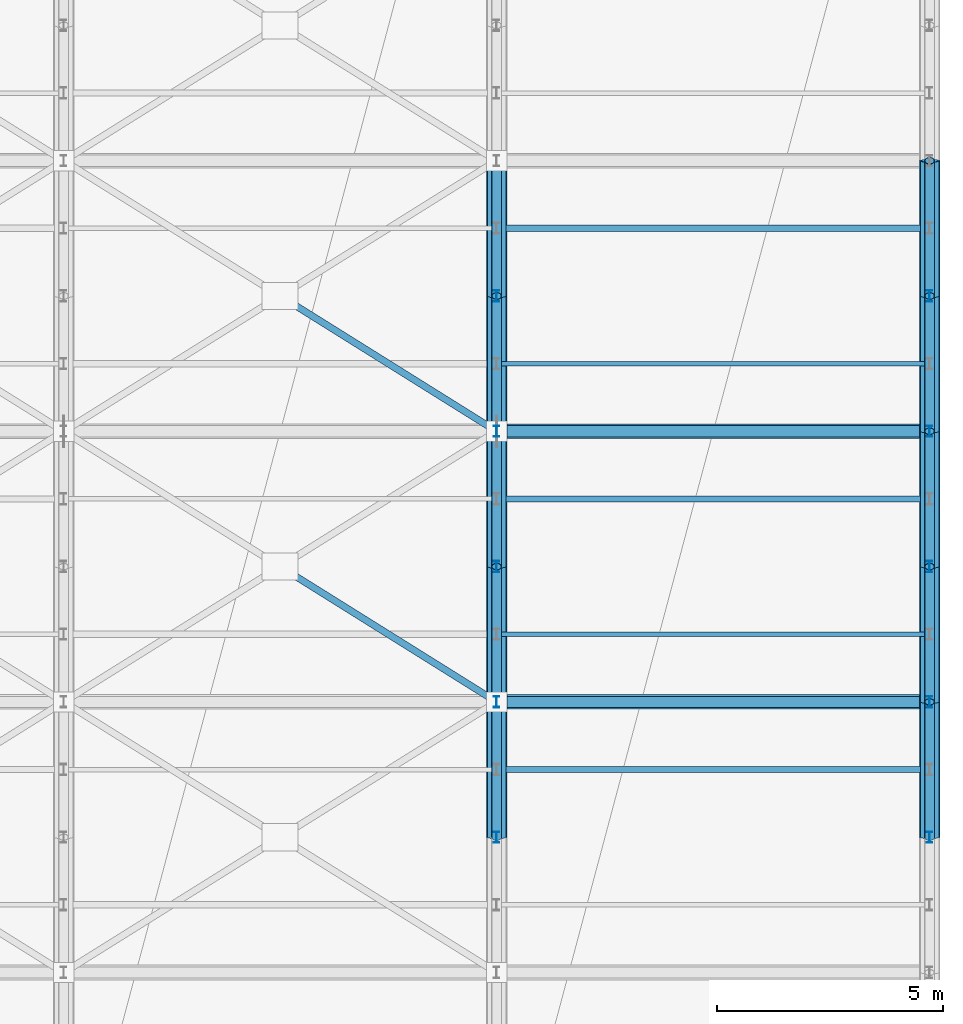
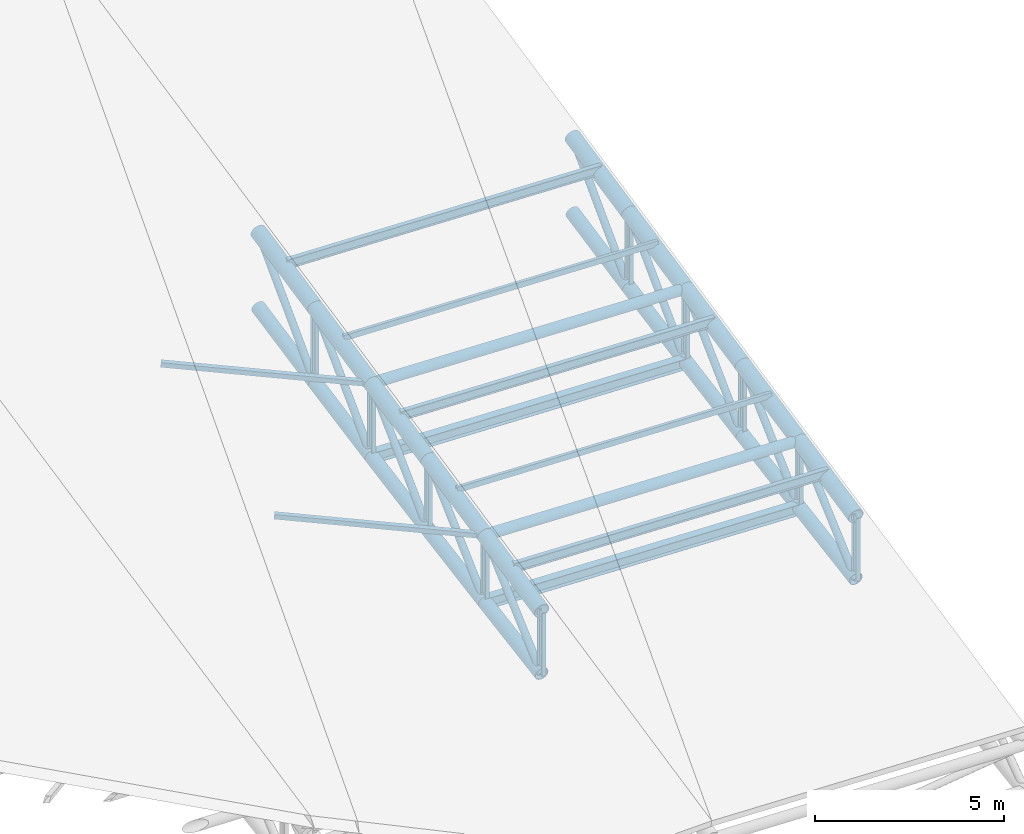
# One storey, part 40 of 109: 31 members, 20 beams.
"""IFC4 building model written with IfcOpenShell, lengths in metres."""

from ifc_helpers import new_model, si_unit, direction, frame, origin, origin_2d, place, context, subcontext, project, spatial, hollow_rectangle, hollow_circle, i_section, extrude, material, material_profile, profile_set, type_object, element, save


model = new_model("IFC4")

# Units and contexts
model_context = context("Model", 3, precision=1e-05, world=origin(), true_north=direction((0.0, 1.0)))
body_context = subcontext(model_context, "Body", "Model", "MODEL_VIEW")
ifc_project = project(units=[si_unit("LENGTHUNIT", "METRE"), si_unit("AREAUNIT", "SQUARE_METRE"), si_unit("VOLUMEUNIT", "CUBIC_METRE"), si_unit("PLANEANGLEUNIT", "RADIAN"), si_unit("MASSUNIT", "GRAM", prefix="KILO")], contexts=[model_context])

# Site, building, storey
site_placement = place(None, origin())
site = spatial("IfcSite", under=ifc_project, at=site_placement, CompositionType="ELEMENT")
building_placement = place(site_placement, origin())
building = spatial("IfcBuilding", under=site, at=building_placement, Name="Suirenkawa Promenade Aquatics Centre", CompositionType="ELEMENT")
storey_placement = place(building_placement, frame((0.0, 0.0, 22.800048828125)))
storey = spatial("IfcBuildingStorey", under=building, at=storey_placement, Name="ROOF", CompositionType="ELEMENT", Elevation=22.800048828125)

# Beams
ifc_material = material(Name="Steel IS 2062 E350 (Grade 350)", Category="steel")
ifc_material_profile_1 = material_profile(ifc_material, hollow_circle(Radius=0.202880859375, WallThickness=0.01806640625, at=origin_2d()), Name="CHS 406x18", Category="steel")
ifc_profile_set_1 = profile_set([ifc_material_profile_1], Name="Steel IS 2062 E350 (Grade 350)")
beam_type_1 = type_object("IfcBeamType", Name="BT-BC-CHS406", PredefinedType="BEAM", material=ifc_profile_set_1)
beam_1_placement = place(storey_placement, frame((184.800048828125, 59.39990234375, -8.908935546875), z_axis=(0.0, 0.986393923832, 0.164398987305), x_axis=(-1.0, 0.0, 0.0)))
element("IfcBeam", 1, at=beam_1_placement, inside=storey, type_object=beam_type_1, Name="ROOF TRUSS V2 bottom chord BC-01 BM-2510", PredefinedType="BEAM", context=body_context, shape_type="SweptSolid", body=[
    extrude(hollow_circle(Radius=0.202880859375, WallThickness=0.01806640625, at=origin_2d()), origin(), (0.0, 0.0, 1.0), 3.041259765625),
])
beam_2_placement = place(storey_placement, frame((184.800048828125, 62.39990234375, -8.408935546875), z_axis=(0.0, 0.985198806209, 0.171415612604), x_axis=(-1.0, 0.0, 0.0)))
element("IfcBeam", 2, at=beam_2_placement, inside=storey, type_object=beam_type_1, Name="ROOF TRUSS V2 bottom chord BC-01 BM-2512", PredefinedType="BEAM", context=body_context, shape_type="SweptSolid", body=[
    extrude(hollow_circle(Radius=0.202880859375, WallThickness=0.01806640625, at=origin_2d()), origin(), (0.0, 0.0, 1.0), 3.045166015625),
])
beam_3_placement = place(storey_placement, frame((184.800048828125, 65.39990234375, -7.886962890625), z_axis=(0.0, 0.983844279064, 0.179026351561), x_axis=(-1.0, 0.0, 0.0)))
element("IfcBeam", 3, at=beam_3_placement, inside=storey, type_object=beam_type_1, Name="ROOF TRUSS V2 bottom chord BC-01 BM-2514", PredefinedType="BEAM", context=body_context, shape_type="SweptSolid", body=[
    extrude(hollow_circle(Radius=0.202880859375, WallThickness=0.01806640625, at=origin_2d()), origin(), (0.0, 0.0, 1.0), 3.04931640625),
])
beam_4_placement = place(storey_placement, frame((184.800048828125, 68.39990234375, -7.341064453125), z_axis=(0.0, 0.982125967057, 0.188224825229), x_axis=(-1.0, 0.0, 0.0)))
element("IfcBeam", 4, at=beam_4_placement, inside=storey, type_object=beam_type_1, Name="ROOF TRUSS V2 bottom chord BC-01 BM-2516", PredefinedType="BEAM", context=body_context, shape_type="SweptSolid", body=[
    extrude(hollow_circle(Radius=0.202880859375, WallThickness=0.01806640625, at=origin_2d()), origin(), (0.0, 0.0, 1.0), 3.0546875),
])
beam_5_placement = place(storey_placement, frame((184.800048828125, 71.39990234375, -6.76611328125), z_axis=(0.0, 0.980204587851, 0.197987287357), x_axis=(-1.0, 0.0, 0.0)))
element("IfcBeam", 5, at=beam_5_placement, inside=storey, type_object=beam_type_1, Name="ROOF TRUSS V2 bottom chord BC-01 BM-2518", PredefinedType="BEAM", context=body_context, shape_type="SweptSolid", body=[
    extrude(hollow_circle(Radius=0.202880859375, WallThickness=0.01806640625, at=origin_2d()), origin(), (0.0, 0.0, 1.0), 3.060546875),
])
beam_6_placement = place(storey_placement, frame((194.39990234375, 59.39990234375, -9.208984375), z_axis=(0.0, 0.986393923832, 0.164398987305), x_axis=(-1.0, 0.0, 0.0)))
element("IfcBeam", 6, at=beam_6_placement, inside=storey, type_object=beam_type_1, Name="ROOF TRUSS V2 bottom chord BC-01 BM-2546", PredefinedType="BEAM", context=body_context, shape_type="SweptSolid", body=[
    extrude(hollow_circle(Radius=0.202880859375, WallThickness=0.01806640625, at=origin_2d()), origin(), (0.0, 0.0, 1.0), 3.041259765625),
])
beam_7_placement = place(storey_placement, frame((194.39990234375, 62.39990234375, -8.708984375), z_axis=(0.0, 0.985198806209, 0.171415612604), x_axis=(-1.0, 0.0, 0.0)))
element("IfcBeam", 7, at=beam_7_placement, inside=storey, type_object=beam_type_1, Name="ROOF TRUSS V2 bottom chord BC-01 BM-2548", PredefinedType="BEAM", context=body_context, shape_type="SweptSolid", body=[
    extrude(hollow_circle(Radius=0.202880859375, WallThickness=0.01806640625, at=origin_2d()), origin(), (0.0, 0.0, 1.0), 3.045166015625),
])
beam_8_placement = place(storey_placement, frame((194.39990234375, 65.39990234375, -8.18701171875), z_axis=(0.0, 0.983844279064, 0.179026351561), x_axis=(-1.0, 0.0, 0.0)))
element("IfcBeam", 8, at=beam_8_placement, inside=storey, type_object=beam_type_1, Name="ROOF TRUSS V2 bottom chord BC-01 BM-2550", PredefinedType="BEAM", context=body_context, shape_type="SweptSolid", body=[
    extrude(hollow_circle(Radius=0.202880859375, WallThickness=0.01806640625, at=origin_2d()), origin(), (0.0, 0.0, 1.0), 3.04931640625),
])
beam_9_placement = place(storey_placement, frame((194.39990234375, 68.39990234375, -7.64111328125), z_axis=(0.0, 0.982125967057, 0.188224825229), x_axis=(-1.0, 0.0, 0.0)))
element("IfcBeam", 9, at=beam_9_placement, inside=storey, type_object=beam_type_1, Name="ROOF TRUSS V2 bottom chord BC-01 BM-2552", PredefinedType="BEAM", context=body_context, shape_type="SweptSolid", body=[
    extrude(hollow_circle(Radius=0.202880859375, WallThickness=0.01806640625, at=origin_2d()), origin(), (0.0, 0.0, 1.0), 3.0546875),
])
beam_10_placement = place(storey_placement, frame((194.39990234375, 71.39990234375, -7.066162109375), z_axis=(0.0, 0.980189104436, 0.198063927923), x_axis=(-1.0, 0.0, 0.0)))
element("IfcBeam", 10, at=beam_10_placement, inside=storey, type_object=beam_type_1, Name="ROOF TRUSS V2 bottom chord BC-01 BM-2554", PredefinedType="BEAM", context=body_context, shape_type="SweptSolid", body=[
    extrude(hollow_circle(Radius=0.202880859375, WallThickness=0.01806640625, at=origin_2d()), origin(), (0.0, 0.0, 1.0), 3.060546875),
])
ifc_material_profile_2 = material_profile(ifc_material, hollow_circle(Radius=0.22900390625, WallThickness=0.02001953125, at=origin_2d()), Name="CHS 458x20", Category="steel")
ifc_profile_set_2 = profile_set([ifc_material_profile_2], Name="Steel IS 2062 E350 (Grade 350)")
beam_type_2 = type_object("IfcBeamType", Name="BT-TC-CHS458", PredefinedType="BEAM", material=ifc_profile_set_2)
for number, where, z_axis, x_axis, name in (
    (11, (184.800048828125, 59.39990234375, -6.880126953125), (0.0, 0.978452518953, 0.206471954886), (-1.0, 0.0, 0.0), "ROOF TRUSS V2 top chord TC-01 BM-2509"),
    (12, (184.800048828125, 62.39990234375, -6.2470703125), (0.0, 0.978388130003, 0.206776853322), (-1.0, 0.0, 0.0), "ROOF TRUSS V2 top chord TC-01 BM-2511"),
    (13, (184.800048828125, 65.39990234375, -5.613037109375), (0.0, 0.978452518953, 0.206471954886), (-1.0, 0.0, 0.0), "ROOF TRUSS V2 top chord TC-01 BM-2513"),
):
    element("IfcBeam", number, at=place(storey_placement, frame(where, z_axis=z_axis, x_axis=x_axis)), inside=storey, type_object=beam_type_2, Name=name, PredefinedType="BEAM", context=body_context, shape_type="SweptSolid", body=[
        extrude(hollow_circle(Radius=0.22900390625, WallThickness=0.02001953125, at=origin_2d()), origin(), (0.0, 0.0, 1.0), 3.066162109375),
    ])
beam_11_placement = place(storey_placement, frame((184.800048828125, 68.39990234375, -4.97998046875), z_axis=(0.0, 0.978468602667, 0.206395720875), x_axis=(-1.0, 0.0, 0.0)))
element("IfcBeam", 14, at=beam_11_placement, inside=storey, type_object=beam_type_2, Name="ROOF TRUSS V2 top chord TC-01 BM-2515", PredefinedType="BEAM", context=body_context, shape_type="SweptSolid", body=[
    extrude(hollow_circle(Radius=0.22900390625, WallThickness=0.02001953125, at=origin_2d()), origin(), (0.0, 0.0, 1.0), 3.06591796875),
])
beam_12_placement = place(storey_placement, frame((184.800048828125, 71.39990234375, -4.34716796875), z_axis=(0.0, 0.978388130003, 0.206776853322), x_axis=(-1.0, 0.0, 0.0)))
element("IfcBeam", 15, at=beam_12_placement, inside=storey, type_object=beam_type_2, Name="ROOF TRUSS V2 top chord TC-01 BM-2517", PredefinedType="BEAM", context=body_context, shape_type="SweptSolid", body=[
    extrude(hollow_circle(Radius=0.22900390625, WallThickness=0.02001953125, at=origin_2d()), origin(), (0.0, 0.0, 1.0), 3.066162109375),
])
beam_13_placement = place(storey_placement, frame((194.39990234375, 59.39990234375, -7.179931640625), z_axis=(0.0, 0.978468602667, 0.206395720875), x_axis=(-1.0, 0.0, 0.0)))
element("IfcBeam", 16, at=beam_13_placement, inside=storey, type_object=beam_type_2, Name="ROOF TRUSS V2 top chord TC-01 BM-2545", PredefinedType="BEAM", context=body_context, shape_type="SweptSolid", body=[
    extrude(hollow_circle(Radius=0.22900390625, WallThickness=0.02001953125, at=origin_2d()), origin(), (0.0, 0.0, 1.0), 3.06591796875),
])
for number, where, z_axis, x_axis, name in (
    (17, (194.39990234375, 62.39990234375, -6.547119140625), (0.0, 0.978388130003, 0.206776853322), (-1.0, 0.0, 0.0), "ROOF TRUSS V2 top chord TC-01 BM-2547"),
    (18, (194.39990234375, 65.39990234375, -5.9130859375), (0.0, 0.978452518953, 0.206471954886), (-1.0, 0.0, 0.0), "ROOF TRUSS V2 top chord TC-01 BM-2549"),
    (19, (194.39990234375, 68.39990234375, -5.280029296875), (0.0, 0.978452518953, 0.206471954886), (-1.0, 0.0, 0.0), "ROOF TRUSS V2 top chord TC-01 BM-2551"),
    (20, (194.39990234375, 71.39990234375, -4.64697265625), (0.0, 0.978388130003, 0.206776853322), (-1.0, 0.0, 0.0), "ROOF TRUSS V2 top chord TC-01 BM-2553"),
):
    element("IfcBeam", number, at=place(storey_placement, frame(where, z_axis=z_axis, x_axis=x_axis)), inside=storey, type_object=beam_type_2, Name=name, PredefinedType="BEAM", context=body_context, shape_type="SweptSolid", body=[
        extrude(hollow_circle(Radius=0.22900390625, WallThickness=0.02001953125, at=origin_2d()), origin(), (0.0, 0.0, 1.0), 3.066162109375),
    ])

# Members
ifc_material_profile_3 = material_profile(ifc_material, hollow_rectangle(XDim=0.14990234375, YDim=0.14990234375, WallThickness=0.008056640625, at=origin_2d()), Name="SHS 150x150x8", Category="steel")
ifc_profile_set_3 = profile_set([ifc_material_profile_3], Name="Steel IS 2062 E350 (Grade 350)")
member_type_1 = type_object("IfcMemberType", Name="MT-BRACE-SHS150", PredefinedType="BRACE", material=ifc_profile_set_3)
for number, where, z_axis, x_axis, name in (
    (21, (184.800048828125, 62.39990234375, -6.2470703125), (-0.844590851827, 0.527880185403, 0.089491915106), (-0.530006811934, -0.847993383998, 0.0), "ROOF TRUSS V2 split plan brace A BF-02 MB-1259"),
    (22, (184.800048828125, 68.39990234375, -4.97998046875), (-0.844590851827, 0.527880185403, 0.089491915106), (-0.530006811934, -0.847993383998, 0.0), "ROOF TRUSS V2 split plan brace A BF-02 MB-1262"),
):
    element("IfcMember", number, at=place(storey_placement, frame(where, z_axis=z_axis, x_axis=x_axis)), inside=storey, type_object=member_type_1, Name=name, PredefinedType="BRACE", context=body_context, shape_type="SweptSolid", body=[
        extrude(hollow_rectangle(XDim=0.14990234375, YDim=0.14990234375, WallThickness=0.008056640625, at=origin_2d()), origin(), (0.0, 0.0, 1.0), 5.597900390625),
    ])
ifc_material_profile_4 = material_profile(ifc_material, hollow_circle(Radius=0.162109375, WallThickness=0.013916015625, at=origin_2d()), Name="CHS 324x14", Category="steel")
ifc_profile_set_4 = profile_set([ifc_material_profile_4], Name="Steel IS 2062 E350 (Grade 350)")
member_type_2 = type_object("IfcMemberType", Name="MT-CHORD-CHS324", PredefinedType="CHORD", material=ifc_profile_set_4)
for number, where, z_axis, x_axis, name in (
    (23, (184.800048828125, 62.39990234375, -6.2470703125), (0.999511902476, 0.0, -0.031240307422), (0.0, 1.0, 0.0), "ROOF TRUSS V2 tie chord CH-01 MB-1184"),
    (24, (184.800048828125, 68.39990234375, -4.97998046875), (0.999511902476, 0.0, -0.031240307422), (0.0, 1.0, 0.0), "ROOF TRUSS V2 tie chord CH-01 MB-1192"),
):
    element("IfcMember", number, at=place(storey_placement, frame(where, z_axis=z_axis, x_axis=x_axis)), inside=storey, type_object=member_type_2, Name=name, PredefinedType="CHORD", context=body_context, shape_type="SweptSolid", body=[
        extrude(hollow_circle(Radius=0.162109375, WallThickness=0.013916015625, at=origin_2d()), origin(), (0.0, 0.0, 1.0), 9.6044921875),
    ])
ifc_material_profile_5 = material_profile(ifc_material, i_section(OverallWidth=0.25, OverallDepth=0.35009765625, WebThickness=0.010009765625, FlangeThickness=0.011962890625, at=origin_2d()), Name="ISHB 350", Category="steel")
ifc_profile_set_5 = profile_set([ifc_material_profile_5], Name="Steel IS 2062 E350 (Grade 350)")
member_type_3 = type_object("IfcMemberType", Name="MT-CHORD-ISHB350", PredefinedType="CHORD", material=ifc_profile_set_5)
for number, where, z_axis, x_axis, name in (
    (25, (184.800048828125, 62.39990234375, -8.408935546875), (0.999511902476, 0.0, -0.031240307422), (0.0, 1.0, 0.0), "ROOF TRUSS V2 bottom tie CH-04 MB-1185"),
    (26, (184.800048828125, 68.39990234375, -7.341064453125), (0.999511902476, 0.0, -0.031240307422), (0.0, 1.0, 0.0), "ROOF TRUSS V2 bottom tie CH-04 MB-1193"),
):
    element("IfcMember", number, at=place(storey_placement, frame(where, z_axis=z_axis, x_axis=x_axis)), inside=storey, type_object=member_type_3, Name=name, PredefinedType="CHORD", context=body_context, shape_type="SweptSolid", body=[
        extrude(i_section(OverallWidth=0.25, OverallDepth=0.35009765625, WebThickness=0.010009765625, FlangeThickness=0.011962890625, at=origin_2d()), origin(), (0.0, 0.0, 1.0), 9.6044921875),
    ])
ifc_material_profile_6 = material_profile(ifc_material, i_section(OverallWidth=0.139892578125, OverallDepth=0.300048828125, WebThickness=0.008056640625, FlangeThickness=0.012939453125, at=origin_2d()), Name="ISMB 300", Category="steel")
ifc_profile_set_6 = profile_set([ifc_material_profile_6], Name="Steel IS 2062 E350 (Grade 350)")
member_type_4 = type_object("IfcMemberType", Name="MT-PURLIN-ISMB300", PredefinedType="PURLIN", material=ifc_profile_set_6)
for number, where, z_axis, x_axis, name in (
    (27, (184.800048828125, 60.89990234375, -6.376953125), (0.999511902476, 0.0, -0.031240307422), (0.0, 1.0, 0.0), "ROOF TRUSS Roof purlin PU-05 MB-2569"),
    (28, (184.800048828125, 66.89990234375, -5.110107421875), (0.999511902476, 0.0, -0.031240307422), (0.0, 1.0, 0.0), "ROOF TRUSS Roof purlin PU-05 MB-2573"),
    (29, (184.800048828125, 72.89990234375, -3.843994140625), (0.999511902476, 0.0, -0.031240307422), (0.0, 1.0, 0.0), "ROOF TRUSS Roof purlin PU-05 MB-2577"),
):
    element("IfcMember", number, at=place(storey_placement, frame(where, z_axis=z_axis, x_axis=x_axis)), inside=storey, type_object=member_type_4, Name=name, PredefinedType="PURLIN", context=body_context, shape_type="SweptSolid", body=[
        extrude(i_section(OverallWidth=0.139892578125, OverallDepth=0.300048828125, WebThickness=0.008056640625, FlangeThickness=0.012939453125, at=origin_2d()), origin(), (0.0, 0.0, 1.0), 9.6044921875),
    ])
ifc_material_profile_7 = material_profile(ifc_material, hollow_rectangle(XDim=0.10009765625, YDim=0.179931640625, WallThickness=0.008056640625, at=origin_2d()), Name="RHS 180x100x8", Category="steel")
ifc_profile_set_7 = profile_set([ifc_material_profile_7], Name="Steel IS 2062 E350 (Grade 350)")
member_type_5 = type_object("IfcMemberType", Name="MT-PURLIN-RHS180", PredefinedType="PURLIN", material=ifc_profile_set_7)
for number, where, z_axis, x_axis, name in (
    (30, (184.800048828125, 63.89990234375, -5.678955078125), (0.999511902476, 0.0, -0.031240307422), (0.0, 1.0, 0.0), "ROOF TRUSS Roof purlin PU-01 MB-2571"),
    (31, (184.800048828125, 69.89990234375, -4.4130859375), (0.999511902476, 0.0, -0.031240307422), (0.0, 1.0, 0.0), "ROOF TRUSS Roof purlin PU-01 MB-2575"),
):
    element("IfcMember", number, at=place(storey_placement, frame(where, z_axis=z_axis, x_axis=x_axis)), inside=storey, type_object=member_type_5, Name=name, PredefinedType="PURLIN", context=body_context, shape_type="SweptSolid", body=[
        extrude(hollow_rectangle(XDim=0.10009765625, YDim=0.179931640625, WallThickness=0.008056640625, at=origin_2d()), origin(), (0.0, 0.0, 1.0), 9.6044921875),
    ])
ifc_material_profile_8 = material_profile(ifc_material, i_section(OverallWidth=0.125, OverallDepth=0.25, WebThickness=0.007080078125, FlangeThickness=0.012939453125, at=origin_2d()), Name="ISMB 250", Category="steel")
ifc_profile_set_8 = profile_set([ifc_material_profile_8], Name="Steel IS 2062 E350 (Grade 350)")
member_type_6 = type_object("IfcMemberType", Name="MT-WEB-CHS168", PredefinedType="BRACE", material=ifc_profile_set_8)
member_1_placement = place(storey_placement, frame((184.800048828125, 59.39990234375, -8.908935546875), z_axis=(0.0, 0.0, 1.0), x_axis=(1.0, 0.0, 0.0)))
element("IfcMember", 32, at=member_1_placement, inside=storey, type_object=member_type_6, Name="ROOF TRUSS V2 web post TD-03 MB-1096", PredefinedType="BRACE", context=body_context, shape_type="SweptSolid", body=[
    extrude(i_section(OverallWidth=0.125, OverallDepth=0.25, WebThickness=0.007080078125, FlangeThickness=0.012939453125, at=origin_2d()), origin(), (0.0, 0.0, 1.0), 2.02880859375),
])
member_2_placement = place(storey_placement, frame((184.800048828125, 62.39990234375, -8.408935546875), z_axis=(0.0, 0.0, 1.0), x_axis=(1.0, 0.0, 0.0)))
element("IfcMember", 33, at=member_2_placement, inside=storey, type_object=member_type_6, Name="ROOF TRUSS V2 web post TD-03 MB-1097", PredefinedType="BRACE", context=body_context, shape_type="SweptSolid", body=[
    extrude(i_section(OverallWidth=0.125, OverallDepth=0.25, WebThickness=0.007080078125, FlangeThickness=0.012939453125, at=origin_2d()), origin(), (0.0, 0.0, 1.0), 2.161865234375),
])
member_3_placement = place(storey_placement, frame((184.800048828125, 65.39990234375, -7.886962890625), z_axis=(0.0, 0.0, 1.0), x_axis=(1.0, 0.0, 0.0)))
element("IfcMember", 34, at=member_3_placement, inside=storey, type_object=member_type_6, Name="ROOF TRUSS V2 web post TD-03 MB-1098", PredefinedType="BRACE", context=body_context, shape_type="SweptSolid", body=[
    extrude(i_section(OverallWidth=0.125, OverallDepth=0.25, WebThickness=0.007080078125, FlangeThickness=0.012939453125, at=origin_2d()), origin(), (0.0, 0.0, 1.0), 2.27392578125),
])
member_4_placement = place(storey_placement, frame((184.800048828125, 68.39990234375, -7.341064453125), z_axis=(0.0, 0.0, 1.0), x_axis=(1.0, 0.0, 0.0)))
element("IfcMember", 35, at=member_4_placement, inside=storey, type_object=member_type_6, Name="ROOF TRUSS V2 web post TD-03 MB-1099", PredefinedType="BRACE", context=body_context, shape_type="SweptSolid", body=[
    extrude(i_section(OverallWidth=0.125, OverallDepth=0.25, WebThickness=0.007080078125, FlangeThickness=0.012939453125, at=origin_2d()), origin(), (0.0, 0.0, 1.0), 2.361083984375),
])
member_5_placement = place(storey_placement, frame((184.800048828125, 71.39990234375, -6.76611328125), z_axis=(0.0, 0.0, 1.0), x_axis=(1.0, 0.0, 0.0)))
element("IfcMember", 36, at=member_5_placement, inside=storey, type_object=member_type_6, Name="ROOF TRUSS V2 web post TD-03 MB-1100", PredefinedType="BRACE", context=body_context, shape_type="SweptSolid", body=[
    extrude(i_section(OverallWidth=0.125, OverallDepth=0.25, WebThickness=0.007080078125, FlangeThickness=0.012939453125, at=origin_2d()), origin(), (0.0, 0.0, 1.0), 2.4189453125),
])
member_6_placement = place(storey_placement, frame((194.39990234375, 59.39990234375, -9.208984375), z_axis=(0.0, 0.0, 1.0), x_axis=(1.0, 0.0, 0.0)))
element("IfcMember", 37, at=member_6_placement, inside=storey, type_object=member_type_6, Name="ROOF TRUSS V2 web post TD-03 MB-1131", PredefinedType="BRACE", context=body_context, shape_type="SweptSolid", body=[
    extrude(i_section(OverallWidth=0.125, OverallDepth=0.25, WebThickness=0.007080078125, FlangeThickness=0.012939453125, at=origin_2d()), origin(), (0.0, 0.0, 1.0), 2.029052734375),
])
member_7_placement = place(storey_placement, frame((194.39990234375, 62.39990234375, -8.708984375), z_axis=(0.0, 0.0, 1.0), x_axis=(1.0, 0.0, 0.0)))
element("IfcMember", 38, at=member_7_placement, inside=storey, type_object=member_type_6, Name="ROOF TRUSS V2 web post TD-03 MB-1132", PredefinedType="BRACE", context=body_context, shape_type="SweptSolid", body=[
    extrude(i_section(OverallWidth=0.125, OverallDepth=0.25, WebThickness=0.007080078125, FlangeThickness=0.012939453125, at=origin_2d()), origin(), (0.0, 0.0, 1.0), 2.161865234375),
])
member_8_placement = place(storey_placement, frame((194.39990234375, 65.39990234375, -8.18701171875), z_axis=(0.0, 0.0, 1.0), x_axis=(1.0, 0.0, 0.0)))
element("IfcMember", 39, at=member_8_placement, inside=storey, type_object=member_type_6, Name="ROOF TRUSS V2 web post TD-03 MB-1133", PredefinedType="BRACE", context=body_context, shape_type="SweptSolid", body=[
    extrude(i_section(OverallWidth=0.125, OverallDepth=0.25, WebThickness=0.007080078125, FlangeThickness=0.012939453125, at=origin_2d()), origin(), (0.0, 0.0, 1.0), 2.27392578125),
])
member_9_placement = place(storey_placement, frame((194.39990234375, 68.39990234375, -7.64111328125), z_axis=(0.0, 0.0, 1.0), x_axis=(1.0, 0.0, 0.0)))
element("IfcMember", 40, at=member_9_placement, inside=storey, type_object=member_type_6, Name="ROOF TRUSS V2 web post TD-03 MB-1134", PredefinedType="BRACE", context=body_context, shape_type="SweptSolid", body=[
    extrude(i_section(OverallWidth=0.125, OverallDepth=0.25, WebThickness=0.007080078125, FlangeThickness=0.012939453125, at=origin_2d()), origin(), (0.0, 0.0, 1.0), 2.361083984375),
])
member_10_placement = place(storey_placement, frame((194.39990234375, 71.39990234375, -7.066162109375), z_axis=(0.0, 0.0, 1.0), x_axis=(1.0, 0.0, 0.0)))
element("IfcMember", 41, at=member_10_placement, inside=storey, type_object=member_type_6, Name="ROOF TRUSS V2 web post TD-03 MB-1135", PredefinedType="BRACE", context=body_context, shape_type="SweptSolid", body=[
    extrude(i_section(OverallWidth=0.125, OverallDepth=0.25, WebThickness=0.007080078125, FlangeThickness=0.012939453125, at=origin_2d()), origin(), (0.0, 0.0, 1.0), 2.419189453125),
])
ifc_material_profile_9 = material_profile(ifc_material, hollow_circle(Radius=0.110107421875, WallThickness=0.010009765625, at=origin_2d()), Name="CHS 220x10", Category="steel")
ifc_profile_set_9 = profile_set([ifc_material_profile_9], Name="Steel IS 2062 E350 (Grade 350)")
member_type_7 = type_object("IfcMemberType", Name="MT-WEB-CHS220", PredefinedType="BRACE", material=ifc_profile_set_9)
member_11_placement = place(storey_placement, frame((184.800048828125, 59.39990234375, -8.908935546875), z_axis=(0.0, 0.748003472681, 0.663694813041), x_axis=(-1.0, 0.0, 0.0)))
element("IfcMember", 42, at=member_11_placement, inside=storey, type_object=member_type_7, Name="ROOF TRUSS V2 web diagonal TD-01 MB-1079", PredefinedType="BRACE", context=body_context, shape_type="SweptSolid", body=[
    extrude(hollow_circle(Radius=0.110107421875, WallThickness=0.010009765625, at=origin_2d()), origin(), (0.0, 0.0, 1.0), 4.0107421875),
])
member_12_placement = place(storey_placement, frame((184.800048828125, 62.39990234375, -8.408935546875), z_axis=(0.0, 0.731553970693, 0.681783534536), x_axis=(-1.0, 0.0, 0.0)))
element("IfcMember", 43, at=member_12_placement, inside=storey, type_object=member_type_7, Name="ROOF TRUSS V2 web diagonal TD-01 MB-1080", PredefinedType="BRACE", context=body_context, shape_type="SweptSolid", body=[
    extrude(hollow_circle(Radius=0.110107421875, WallThickness=0.010009765625, at=origin_2d()), origin(), (0.0, 0.0, 1.0), 4.100830078125),
])
member_13_placement = place(storey_placement, frame((184.800048828125, 65.39990234375, -7.886962890625), z_axis=(0.0, 0.718152596146, 0.69588565774), x_axis=(-1.0, 0.0, 0.0)))
element("IfcMember", 44, at=member_13_placement, inside=storey, type_object=member_type_7, Name="ROOF TRUSS V2 web diagonal TD-01 MB-1081", PredefinedType="BRACE", context=body_context, shape_type="SweptSolid", body=[
    extrude(hollow_circle(Radius=0.110107421875, WallThickness=0.010009765625, at=origin_2d()), origin(), (0.0, 0.0, 1.0), 4.177490234375),
])
member_14_placement = place(storey_placement, frame((184.800048828125, 68.39990234375, -7.341064453125), z_axis=(0.0, 0.707826452886, 0.706386376281), x_axis=(-1.0, 0.0, 0.0)))
element("IfcMember", 45, at=member_14_placement, inside=storey, type_object=member_type_7, Name="ROOF TRUSS V2 web diagonal TD-01 MB-1082", PredefinedType="BRACE", context=body_context, shape_type="SweptSolid", body=[
    extrude(hollow_circle(Radius=0.110107421875, WallThickness=0.010009765625, at=origin_2d()), origin(), (0.0, 0.0, 1.0), 4.23828125),
])
member_15_placement = place(storey_placement, frame((184.800048828125, 71.39990234375, -6.76611328125), z_axis=(0.0, 0.700891004353, 0.713268392695), x_axis=(-1.0, 0.0, 0.0)))
element("IfcMember", 46, at=member_15_placement, inside=storey, type_object=member_type_7, Name="ROOF TRUSS V2 web diagonal TD-01 MB-1083", PredefinedType="BRACE", context=body_context, shape_type="SweptSolid", body=[
    extrude(hollow_circle(Radius=0.110107421875, WallThickness=0.010009765625, at=origin_2d()), origin(), (0.0, 0.0, 1.0), 4.2802734375),
])
member_16_placement = place(storey_placement, frame((194.39990234375, 59.39990234375, -9.208984375), z_axis=(0.0, 0.748003472681, 0.663694813041), x_axis=(-1.0, 0.0, 0.0)))
element("IfcMember", 47, at=member_16_placement, inside=storey, type_object=member_type_7, Name="ROOF TRUSS V2 web diagonal TD-01 MB-1114", PredefinedType="BRACE", context=body_context, shape_type="SweptSolid", body=[
    extrude(hollow_circle(Radius=0.110107421875, WallThickness=0.010009765625, at=origin_2d()), origin(), (0.0, 0.0, 1.0), 4.0107421875),
])
member_17_placement = place(storey_placement, frame((194.39990234375, 62.39990234375, -8.708984375), z_axis=(0.0, 0.731553970693, 0.681783534536), x_axis=(-1.0, 0.0, 0.0)))
element("IfcMember", 48, at=member_17_placement, inside=storey, type_object=member_type_7, Name="ROOF TRUSS V2 web diagonal TD-01 MB-1115", PredefinedType="BRACE", context=body_context, shape_type="SweptSolid", body=[
    extrude(hollow_circle(Radius=0.110107421875, WallThickness=0.010009765625, at=origin_2d()), origin(), (0.0, 0.0, 1.0), 4.100830078125),
])
member_18_placement = place(storey_placement, frame((194.39990234375, 65.39990234375, -8.18701171875), z_axis=(0.0, 0.718152596146, 0.69588565774), x_axis=(-1.0, 0.0, 0.0)))
element("IfcMember", 49, at=member_18_placement, inside=storey, type_object=member_type_7, Name="ROOF TRUSS V2 web diagonal TD-01 MB-1116", PredefinedType="BRACE", context=body_context, shape_type="SweptSolid", body=[
    extrude(hollow_circle(Radius=0.110107421875, WallThickness=0.010009765625, at=origin_2d()), origin(), (0.0, 0.0, 1.0), 4.177490234375),
])
member_19_placement = place(storey_placement, frame((194.39990234375, 68.39990234375, -7.64111328125), z_axis=(0.0, 0.707797651997, 0.706415234708), x_axis=(-1.0, 0.0, 0.0)))
element("IfcMember", 50, at=member_19_placement, inside=storey, type_object=member_type_7, Name="ROOF TRUSS V2 web diagonal TD-01 MB-1117", PredefinedType="BRACE", context=body_context, shape_type="SweptSolid", body=[
    extrude(hollow_circle(Radius=0.110107421875, WallThickness=0.010009765625, at=origin_2d()), origin(), (0.0, 0.0, 1.0), 4.238525390625),
])
member_20_placement = place(storey_placement, frame((194.39990234375, 71.39990234375, -7.066162109375), z_axis=(0.0, 0.700862489994, 0.713296411122), x_axis=(-1.0, 0.0, 0.0)))
element("IfcMember", 51, at=member_20_placement, inside=storey, type_object=member_type_7, Name="ROOF TRUSS V2 web diagonal TD-01 MB-1118", PredefinedType="BRACE", context=body_context, shape_type="SweptSolid", body=[
    extrude(hollow_circle(Radius=0.110107421875, WallThickness=0.010009765625, at=origin_2d()), origin(), (0.0, 0.0, 1.0), 4.280517578125),
])

save(model, "model.ifc")
